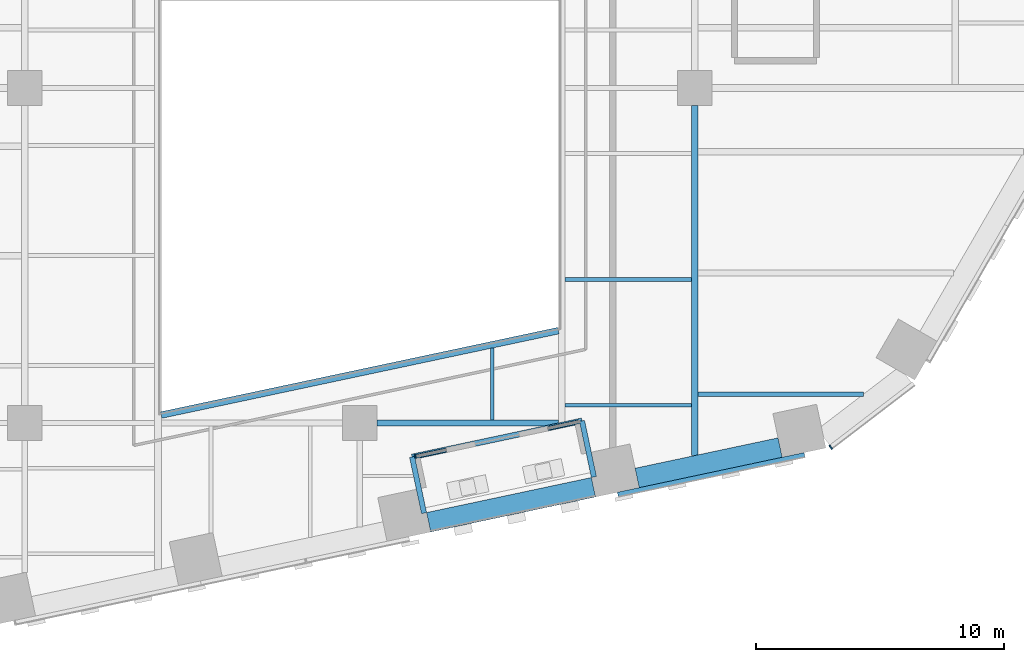
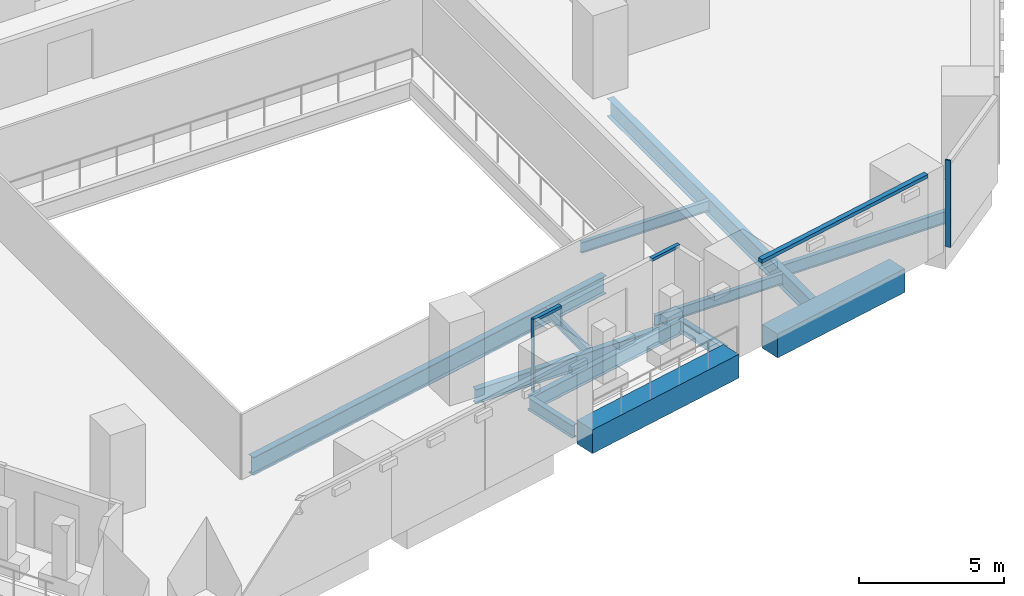
# One storey, part 5 of 31: 12 beams, 5 members, 3 elements without a shape of their own.
"""IFC4 building model written with IfcOpenShell, lengths in metres."""

from ifc_helpers import new_model, si_unit, direction, frame, origin, origin_2d, place, context, subcontext, project, spatial, rectangle, i_section, extrude, material, layer, layer_set, material_profile, profile_set, type_object, element, aggregate, save


model = new_model("IFC4")

# Units and contexts
model_context = context("Model", 3, precision=1e-05, world=origin(), true_north=direction((0.0, 1.0)))
body_context = subcontext(model_context, "Body", "Model", "MODEL_VIEW")
ifc_project = project(units=[si_unit("LENGTHUNIT", "METRE"), si_unit("AREAUNIT", "SQUARE_METRE"), si_unit("VOLUMEUNIT", "CUBIC_METRE"), si_unit("PLANEANGLEUNIT", "RADIAN"), si_unit("MASSUNIT", "GRAM", prefix="KILO")], contexts=[model_context])

# Site, building, storey
site_placement = place(None, origin())
site = spatial("IfcSite", under=ifc_project, at=site_placement, CompositionType="ELEMENT")
building_placement = place(site_placement, origin())
building = spatial("IfcBuilding", under=site, at=building_placement, Name="Isthmus Gate Tower", CompositionType="ELEMENT")
storey_placement = place(building_placement, frame((0.0, 0.0, 39.64990234375)))
storey = spatial("IfcBuildingStorey", under=building, at=storey_placement, Name="L07", CompositionType="ELEMENT", Elevation=39.64990234375)

# Curtain wall, member
ifc_material_1 = material(Name="Aluminium, pale champagne anodised", Category="aluminium")
ifc_layer_1 = layer(ifc_material_1, 0.199951171875)
ifc_layer_set_1 = layer_set([ifc_layer_1], Name="CW-1 UNITISED CURTAIN WALL 200 DEEP")
curtain_wall_type_1 = type_object("IfcCurtainWallType", Name="CW-1 UNITISED CURTAIN WALL 200 DEEP", PredefinedType="NOTDEFINED", material=ifc_layer_set_1)
curtain_wall_1_placement = place(storey_placement, origin())
curtain_wall_1 = element("IfcCurtainWall", 1, at=curtain_wall_1_placement, inside=storey, type_object=curtain_wall_type_1, Name="CW-1 S-SE L07", PredefinedType="NOTDEFINED")
ifc_material_2 = material(Name="Aluminium, pale champagne anodised", Category="aluminium")
ifc_material_profile_1 = material_profile(ifc_material_2, rectangle(XDim=0.06005859375, YDim=0.199951171875, at=origin_2d()), Name="60x200")
ifc_profile_set_1 = profile_set([ifc_material_profile_1], Name="Aluminium, pale champagne anodised")
member_type_1 = type_object("IfcMemberType", Name="CW-1 MULLION 60 X 200", PredefinedType="MULLION", material=ifc_profile_set_1)
member_1_placement = place(storey_placement, frame((18.978759765625, -27.982421875, 0.0), z_axis=(0.0, 0.0, 1.0), x_axis=(0.794188594387, 0.607671355706, 0.0)))
member_1 = element("IfcMember", 2, at=member_1_placement, type_object=member_type_1, Name="CW-1 mullion", PredefinedType="MULLION", context=body_context, shape_type="SweptSolid", body=[
    extrude(rectangle(XDim=0.06005859375, YDim=0.199951171875, at=origin_2d()), origin(), (0.0, 0.0, 1.0), 3.650146484375),
])
aggregate(curtain_wall_1, [member_1])

curtain_wall_2_placement = place(storey_placement, origin())
curtain_wall_2 = element("IfcCurtainWall", 3, at=curtain_wall_2_placement, inside=storey, type_object=curtain_wall_type_1, Name="CW-1 S L07", PredefinedType="NOTDEFINED")
ifc_material_3 = material(Name="Aluminium, pale champagne anodised", Category="aluminium")
ifc_material_profile_2 = material_profile(ifc_material_3, rectangle(XDim=0.199951171875, YDim=0.14990234375, at=origin_2d()), Name="200x150")
ifc_profile_set_2 = profile_set([ifc_material_profile_2], Name="Aluminium, pale champagne anodised")
member_type_2 = type_object("IfcMemberType", Name="CW-1 TRANSOM 200 X 150", PredefinedType="USERDEFINED", material=ifc_profile_set_2)
member_2_placement = place(storey_placement, frame((10.400146484375, -29.8916015625, 3.5751953125), z_axis=(0.978149085817, 0.207904703929, 0.0), x_axis=(-0.207904703929, 0.978149085817, 0.0)))
member_2 = element("IfcMember", 4, at=member_2_placement, type_object=member_type_2, Name="CW-1 transom", ObjectType="TRANSOM", PredefinedType="USERDEFINED", context=body_context, shape_type="SweptSolid", body=[
    extrude(rectangle(XDim=0.199951171875, YDim=0.14990234375, at=origin_2d()), origin(), (0.0, 0.0, 1.0), 7.689208984375),
])
aggregate(curtain_wall_2, [member_2])

# Curtain wall, members
ifc_material_4 = material(Name="Aluminium, pale champagne anodised", Category="aluminium")
ifc_layer_2 = layer(ifc_material_4, 0.14990234375)
ifc_layer_set_2 = layer_set([ifc_layer_2], Name="CW-6 LOGGIA BACK WALL GLAZING 150 DEEP")
curtain_wall_type_2 = type_object("IfcCurtainWallType", Name="CW-6 LOGGIA BACK WALL GLAZING 150 DEEP", PredefinedType="NOTDEFINED", material=ifc_layer_set_2)
curtain_wall_3_placement = place(storey_placement, origin())
curtain_wall_3 = element("IfcCurtainWall", 5, at=curtain_wall_3_placement, inside=storey, type_object=curtain_wall_type_2, Name="CW-6 S L07", PredefinedType="NOTDEFINED")
ifc_material_5 = material(Name="Aluminium, pale champagne anodised", Category="aluminium")
ifc_material_profile_3 = material_profile(ifc_material_5, rectangle(XDim=0.06005859375, YDim=0.14990234375, at=origin_2d()), Name="60x150")
ifc_profile_set_3 = profile_set([ifc_material_profile_3], Name="Aluminium, pale champagne anodised")
member_type_3 = type_object("IfcMemberType", Name="CW-6 MULLION 60 X 150", PredefinedType="MULLION", material=ifc_profile_set_3)
member_3_placement = place(storey_placement, frame((2.242919921875, -28.35400390625, 0.0), z_axis=(0.0, 0.0, 1.0), x_axis=(0.978147600734, 0.207911690818, 0.0)))
member_3 = element("IfcMember", 6, at=member_3_placement, type_object=member_type_3, Name="CW-6 mullion", PredefinedType="MULLION", context=body_context, shape_type="SweptSolid", body=[
    extrude(rectangle(XDim=0.06005859375, YDim=0.14990234375, at=origin_2d()), origin(), (0.0, 0.0, 1.0), 3.050048828125),
])
ifc_material_6 = material(Name="Aluminium, pale champagne anodised", Category="aluminium")
ifc_material_profile_4 = material_profile(ifc_material_6, rectangle(XDim=0.14990234375, YDim=0.1201171875, at=origin_2d()), Name="150x120")
ifc_profile_set_4 = profile_set([ifc_material_profile_4], Name="Aluminium, pale champagne anodised")
member_type_4 = type_object("IfcMemberType", Name="CW-6 TRANSOM 150 X 120", PredefinedType="USERDEFINED", material=ifc_profile_set_4)
member_4_placement = place(storey_placement, frame((2.272216796875, -28.34765625, 2.989990234375), z_axis=(0.9781683979, 0.207813823771, 0.0), x_axis=(-0.207813823771, 0.9781683979, 0.0)))
member_4 = element("IfcMember", 7, at=member_4_placement, type_object=member_type_4, Name="CW-6 transom", ObjectType="TRANSOM", PredefinedType="USERDEFINED", context=body_context, shape_type="SweptSolid", body=[
    extrude(rectangle(XDim=0.14990234375, YDim=0.1201171875, at=origin_2d()), origin(), (0.0, 0.0, 1.0), 1.234619140625),
])
member_5_placement = place(storey_placement, frame((7.588134765625, -27.2177734375, 2.989990234375), z_axis=(0.978167956207, 0.207815902784, 0.0), x_axis=(-0.207815902784, 0.978167956207, 0.0)))
member_5 = element("IfcMember", 8, at=member_5_placement, type_object=member_type_4, Name="CW-6 transom", ObjectType="TRANSOM", PredefinedType="USERDEFINED", context=body_context, shape_type="SweptSolid", body=[
    extrude(rectangle(XDim=0.14990234375, YDim=0.1201171875, at=origin_2d()), origin(), (0.0, 0.0, 1.0), 1.294677734375),
])
aggregate(curtain_wall_3, [member_3, member_4, member_5])

# Beams
ifc_material_7 = material(Name="Concrete f'c 70 MPa", Category="concrete")
ifc_material_profile_5 = material_profile(ifc_material_7, rectangle(XDim=0.800048828125, YDim=1.0, at=origin_2d()), Name="RC 800X1000")
ifc_profile_set_5 = profile_set([ifc_material_profile_5], Name="Concrete f'c 70 MPa")
beam_type_1 = type_object("IfcBeamType", Name="RC SPANDREL 800 X 1000", PredefinedType="SPANDREL", material=ifc_profile_set_5)
beam_1_placement = place(storey_placement, frame((16.937255859375, -27.990966796875, -0.5), z_axis=(-0.97815168619, -0.207892469327, 0.0), x_axis=(0.207892469327, -0.97815168619, 0.0)))
element("IfcBeam", 9, at=beam_1_placement, inside=storey, type_object=beam_type_1, Name="str-spandrel-L07-10", PredefinedType="SPANDREL", context=body_context, shape_type="SweptSolid", body=[
    extrude(rectangle(XDim=0.800048828125, YDim=1.0, at=origin_2d()), origin(), (0.0, 0.0, 1.0), 5.889404296875),
])
beam_2_placement = place(storey_placement, frame((9.415771484375, -29.589599609375, -0.5), z_axis=(-0.978145779981, -0.207920256603, 0.0), x_axis=(0.207920256603, -0.978145779981, 0.0)))
element("IfcBeam", 10, at=beam_2_placement, inside=storey, type_object=beam_type_1, Name="str-spandrel-L07-11", PredefinedType="SPANDREL", context=body_context, shape_type="SweptSolid", body=[
    extrude(rectangle(XDim=0.800048828125, YDim=1.0, at=origin_2d()), origin(), (0.0, 0.0, 1.0), 6.789306640625),
])
ifc_material_8 = material(Name="Structural steel ASTM A992 Gr 50", Category="steel")
ifc_material_profile_6 = material_profile(ifc_material_8, i_section(OverallWidth=0.1396484375, OverallDepth=0.4033203125, WebThickness=0.00634765625, FlangeThickness=0.010986328125, at=origin_2d()), Name="W16X31")
ifc_profile_set_6 = profile_set([ifc_material_profile_6], Name="Structural steel ASTM A992 Gr 50")
beam_type_2 = type_object("IfcBeamType", Name="STEEL FLOOR BEAM W16X31", PredefinedType="JOIST", material=ifc_profile_set_6)
beam_3_placement = place(storey_placement, frame((5.333251953125, -26.8857421875, -0.3515625), z_axis=(0.0, 1.0, 0.0), x_axis=(-1.0, 0.0, 0.0)))
element("IfcBeam", 11, at=beam_3_placement, inside=storey, type_object=beam_type_2, Name="str-beam-L07-20-00", PredefinedType="JOIST", context=body_context, shape_type="SweptSolid", body=[
    extrude(i_section(OverallWidth=0.1396484375, OverallDepth=0.4033203125, WebThickness=0.00634765625, FlangeThickness=0.010986328125, at=origin_2d()), origin(), (0.0, 0.0, 1.0), 2.903076171875),
])
ifc_material_9 = material(Name="Structural steel ASTM A992 Gr 50", Category="steel")
ifc_material_profile_7 = material_profile(ifc_material_9, i_section(OverallWidth=0.15234375, OverallDepth=0.45068359375, WebThickness=0.0078125, FlangeThickness=0.010986328125, at=origin_2d()), Name="W18X35")
ifc_profile_set_7 = profile_set([ifc_material_profile_7], Name="Structural steel ASTM A992 Gr 50")
beam_type_3 = type_object("IfcBeamType", Name="STEEL FLOOR BEAM W18X35", PredefinedType="JOIST", material=ifc_profile_set_7)
for number, where, z_axis, x_axis, name in (
    (12, (8.263427734375, -26.28759765625, -0.375244140625), (1.0, 0.0, 0.0), (0.0, 1.0, 0.0), "str-beam-L07-28-00"),
    (13, (8.263427734375, -21.21435546875, -0.375244140625), (1.0, 0.0, 0.0), (0.0, 1.0, 0.0), "str-beam-L07-28-01"),
):
    element("IfcBeam", number, at=place(storey_placement, frame(where, z_axis=z_axis, x_axis=x_axis)), inside=storey, type_object=beam_type_3, Name=name, PredefinedType="JOIST", context=body_context, shape_type="SweptSolid", body=[
        extrude(i_section(OverallWidth=0.15234375, OverallDepth=0.45068359375, WebThickness=0.0078125, FlangeThickness=0.010986328125, at=origin_2d()), origin(), (0.0, 0.0, 1.0), 5.103271484375),
    ])
ifc_material_10 = material(Name="Structural steel ASTM A992 Gr 50", Category="steel")
ifc_material_profile_8 = material_profile(ifc_material_10, i_section(OverallWidth=0.1650390625, OverallDepth=0.52392578125, WebThickness=0.009521484375, FlangeThickness=0.010986328125, at=origin_2d()), Name="W21X44")
ifc_profile_set_8 = profile_set([ifc_material_profile_8], Name="Structural steel ASTM A992 Gr 50")
beam_type_4 = type_object("IfcBeamType", Name="STEEL FLOOR BEAM W21X44", PredefinedType="JOIST", material=ifc_profile_set_8)
beam_4_placement = place(storey_placement, frame((13.63330078125, -25.842529296875, -0.411865234375), z_axis=(1.0, 0.0, 0.0), x_axis=(0.0, 1.0, 0.0)))
element("IfcBeam", 14, at=beam_4_placement, inside=storey, type_object=beam_type_4, Name="str-beam-L07-33-00", PredefinedType="JOIST", context=body_context, shape_type="SweptSolid", body=[
    extrude(i_section(OverallWidth=0.1650390625, OverallDepth=0.52392578125, WebThickness=0.009521484375, FlangeThickness=0.010986328125, at=origin_2d()), origin(), (0.0, 0.0, 1.0), 6.661376953125),
])
ifc_material_11 = material(Name="Structural steel ASTM A992 Gr 50", Category="steel")
ifc_material_profile_9 = material_profile(ifc_material_11, i_section(OverallWidth=0.228515625, OverallDepth=0.603271484375, WebThickness=0.010986328125, FlangeThickness=0.014404296875, at=origin_2d()), Name="W24X68")
ifc_profile_set_9 = profile_set([ifc_material_profile_9], Name="Structural steel ASTM A992 Gr 50")
beam_type_5 = type_object("IfcBeamType", Name="STEEL GIRDER W24X68", PredefinedType="BEAM", material=ifc_profile_set_9)
beam_5_placement = place(storey_placement, frame((0.699951171875, -27.0, -0.451416015625), z_axis=(1.0, 0.0, 0.0), x_axis=(0.0, 1.0, 0.0)))
element("IfcBeam", 15, at=beam_5_placement, inside=storey, type_object=beam_type_5, Name="str-girder-L07-04", PredefinedType="BEAM", context=body_context, shape_type="SweptSolid", body=[
    extrude(i_section(OverallWidth=0.228515625, OverallDepth=0.603271484375, WebThickness=0.010986328125, FlangeThickness=0.014404296875, at=origin_2d()), origin(), (0.0, 0.0, 1.0), 7.300048828125),
])
ifc_material_12 = material(Name="Structural steel ASTM A992 Gr 50", Category="steel")
ifc_material_profile_10 = material_profile(ifc_material_12, i_section(OverallWidth=0.2666015625, OverallDepth=0.7587890625, WebThickness=0.014404296875, FlangeThickness=0.01904296875, at=origin_2d()), Name="W30X108")
ifc_profile_set_10 = profile_set([ifc_material_profile_10], Name="Structural steel ASTM A992 Gr 50")
beam_type_6 = type_object("IfcBeamType", Name="STEEL GIRDER W30X108", PredefinedType="BEAM", material=ifc_profile_set_10)
beam_6_placement = place(storey_placement, frame((13.5, -28.3125, -0.529296875), z_axis=(0.0, 1.0, 0.0), x_axis=(-1.0, 0.0, 0.0)))
element("IfcBeam", 16, at=beam_6_placement, inside=storey, type_object=beam_type_6, Name="str-girder-L07-31", PredefinedType="BEAM", context=body_context, shape_type="SweptSolid", body=[
    extrude(i_section(OverallWidth=0.2666015625, OverallDepth=0.7587890625, WebThickness=0.014404296875, FlangeThickness=0.01904296875, at=origin_2d()), origin(), (0.0, 0.0, 1.0), 14.112548828125),
])
ifc_material_13 = material(Name="Structural steel ASTM A992 Gr 50", Category="steel")
ifc_material_profile_11 = material_profile(ifc_material_13, i_section(OverallWidth=0.20947265625, OverallDepth=0.533447265625, WebThickness=0.009521484375, FlangeThickness=0.015869140625, at=origin_2d()), Name="W21X62")
ifc_profile_set_11 = profile_set([ifc_material_profile_11], Name="Structural steel ASTM A992 Gr 50")
beam_type_7 = type_object("IfcBeamType", Name="STEEL TRIMMER W21X62", PredefinedType="BEAM", material=ifc_profile_set_11)
beam_7_placement = place(storey_placement, frame((2.58935546875, -30.6318359375, -0.41650390625), z_axis=(-0.207907957005, 0.978148394373, 0.0), x_axis=(-0.978148394373, -0.207907957005, 0.0)))
element("IfcBeam", 17, at=beam_7_placement, inside=storey, type_object=beam_type_7, Name="str-loggiatrim-L07-04-A", PredefinedType="BEAM", context=body_context, shape_type="SweptSolid", body=[
    extrude(i_section(OverallWidth=0.20947265625, OverallDepth=0.533447265625, WebThickness=0.009521484375, FlangeThickness=0.015869140625, at=origin_2d()), origin(), (0.0, 0.0, 1.0), 2.314453125),
])
beam_8_placement = place(storey_placement, frame((9.43505859375, -29.176513671875, -0.41650390625), z_axis=(-0.207828474118, 0.97816528529, 0.0), x_axis=(-0.97816528529, -0.207828474118, 0.0)))
element("IfcBeam", 18, at=beam_8_placement, inside=storey, type_object=beam_type_7, Name="str-loggiatrim-L07-04-C", PredefinedType="BEAM", context=body_context, shape_type="SweptSolid", body=[
    extrude(i_section(OverallWidth=0.20947265625, OverallDepth=0.533447265625, WebThickness=0.009521484375, FlangeThickness=0.015869140625, at=origin_2d()), origin(), (0.0, 0.0, 1.0), 2.314208984375),
])
ifc_material_14 = material(Name="Structural steel ASTM A992 Gr 50", Category="steel")
ifc_material_profile_12 = material_profile(ifc_material_14, i_section(OverallWidth=0.228515625, OverallDepth=0.603271484375, WebThickness=0.010986328125, FlangeThickness=0.014404296875, at=origin_2d()), Name="W24X68")
ifc_profile_set_12 = profile_set([ifc_material_profile_12], Name="Structural steel ASTM A992 Gr 50")
beam_type_8 = type_object("IfcBeamType", Name="STEEL TRIMMER W24X68", PredefinedType="BEAM", material=ifc_profile_set_12)
beam_9_placement = place(storey_placement, frame((2.108154296875, -28.367919921875, -0.451416015625), z_axis=(0.978149718586, 0.207901726856, 0.0), x_axis=(-0.207901726856, 0.978149718586, 0.0)))
element("IfcBeam", 19, at=beam_9_placement, inside=storey, type_object=beam_type_8, Name="str-loggiatrim-L07-04-B", PredefinedType="BEAM", context=body_context, shape_type="SweptSolid", body=[
    extrude(i_section(OverallWidth=0.228515625, OverallDepth=0.603271484375, WebThickness=0.010986328125, FlangeThickness=0.014404296875, at=origin_2d()), origin(), (0.0, 0.0, 1.0), 6.998779296875),
])
ifc_material_15 = material(Name="Structural steel ASTM A992 Gr 50", Category="steel")
ifc_material_profile_13 = material_profile(ifc_material_15, i_section(OverallWidth=0.2666015625, OverallDepth=0.7587890625, WebThickness=0.014404296875, FlangeThickness=0.01904296875, at=origin_2d()), Name="W30X108")
ifc_profile_set_13 = profile_set([ifc_material_profile_13], Name="Structural steel ASTM A992 Gr 50")
beam_type_9 = type_object("IfcBeamType", Name="STEEL TRIMMER W30X108", PredefinedType="BEAM", material=ifc_profile_set_13)
beam_10_placement = place(storey_placement, frame((-8.0, -26.680419921875, -0.529296875), z_axis=(0.978147924985, 0.20791016533, 0.0), x_axis=(-0.20791016533, 0.978147924985, 0.0)))
element("IfcBeam", 20, at=beam_10_placement, inside=storey, type_object=beam_type_9, Name="str-trimmer-L07-03", PredefinedType="BEAM", context=body_context, shape_type="SweptSolid", body=[
    extrude(i_section(OverallWidth=0.2666015625, OverallDepth=0.7587890625, WebThickness=0.014404296875, FlangeThickness=0.01904296875, at=origin_2d()), origin(), (0.0, 0.0, 1.0), 16.357421875),
])

save(model, "model.ifc")
